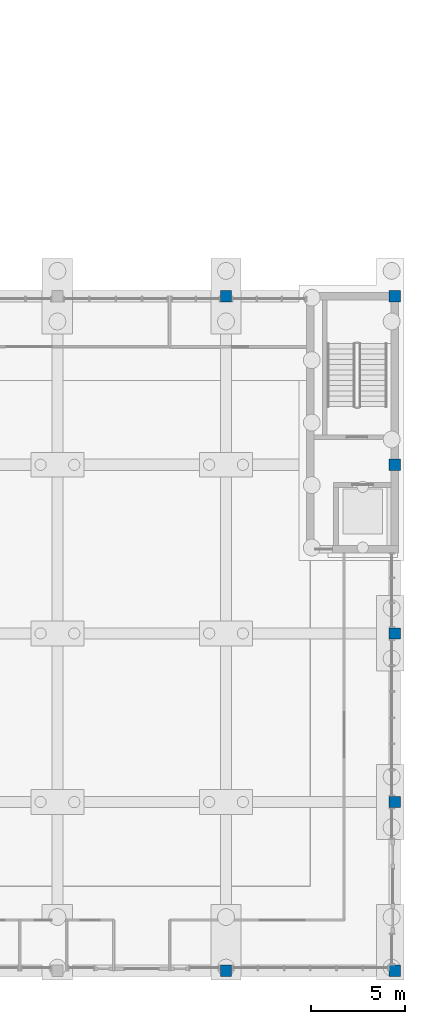
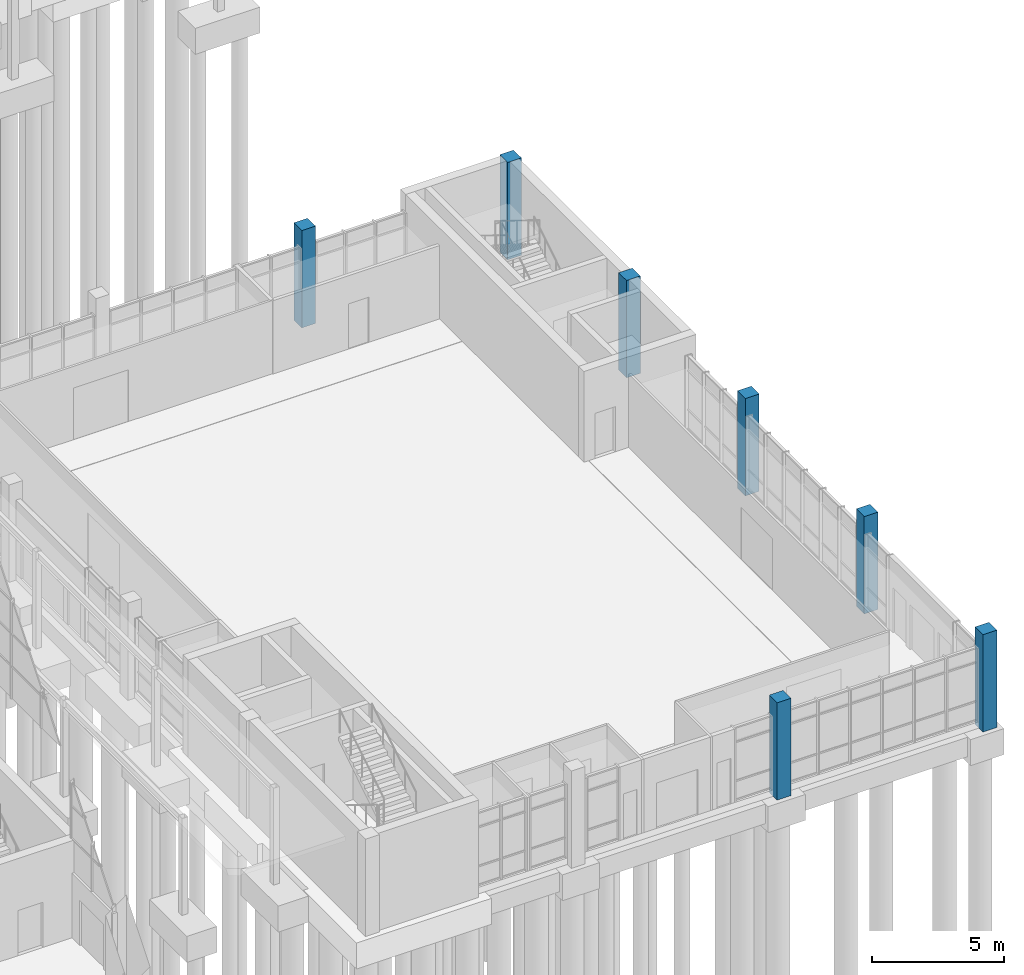
# One storey, part 14 of 106: 7 columns.
"""IFC4 building model written with IfcOpenShell, lengths in metres."""

import ifcopenshell
import ifcopenshell.guid

model = None  # the IFC model being written
_history = None  # IfcOwnerHistory: only IFC2X3 demands one
_inside = {}  # id of a spatial element -> (the spatial element, [elements in it])
_under = {}  # id of a project, library or spatial element -> (it, [spatial elements below it])
_declared = {}  # id of a project -> (the project, [libraries it declares])
_typed = {}  # id of a type object -> (the type object, [elements of that type])
_made_of = {}  # id of a material, layer set ... -> (it, [elements and type objects made of it])


def new_model(schema):
    """Start an empty IFC model of exactly this schema.

    Asked for "IFC4X3", IfcOpenShell would pick the latest addendum, in which some entities
    have other attributes; the version numbers below select the first issue.
    IFC2X3 requires an IfcOwnerHistory on every rooted entity: one is made here for all.
    """
    global model, _history
    if schema == "IFC4X3":
        model = ifcopenshell.file(schema_version=(4, 3, 0, 0))
    else:
        model = ifcopenshell.file(schema=schema)
    _inside.clear()
    _under.clear()
    _declared.clear()
    _typed.clear()
    _made_of.clear()
    _history = None
    if model.schema == "IFC2X3":
        org = make("IfcOrganization", Name="unknown")
        user = make(
            "IfcPersonAndOrganization",
            ThePerson=make("IfcPerson", FamilyName="unknown"),
            TheOrganization=org,
        )
        app = make(
            "IfcApplication",
            ApplicationDeveloper=org,
            Version="unknown",
            ApplicationFullName="unknown",
            ApplicationIdentifier="unknown",
        )
        _history = make(
            "IfcOwnerHistory",
            OwningUser=user,
            OwningApplication=app,
            ChangeAction="ADDED",
            CreationDate=0,
        )
    return model


def make(cls, **values):
    """One entity of the class cls with the attributes given. An attribute that is None is left unset."""
    return model.create_entity(
        cls, **{name: value for name, value in values.items() if value is not None}
    )


def rooted(cls, **values):
    """An entity with a GlobalId (a new one), such as an element, a storey or a relation."""
    return make(cls, GlobalId=ifcopenshell.guid.new(), OwnerHistory=_history, **values)


def si_unit(unit_type, name, prefix=None):
    """IfcSIUnit, for example si_unit("LENGTHUNIT", "METRE", prefix="MILLI")."""
    return make("IfcSIUnit", UnitType=unit_type, Prefix=prefix, Name=name)


def assignment(units):
    """IfcUnitAssignment: the units of a project."""
    return None if units is None else make("IfcUnitAssignment", Units=units)


def point(xyz):
    """IfcCartesianPoint."""
    return None if xyz is None else make("IfcCartesianPoint", Coordinates=xyz)


def direction(xyz):
    """IfcDirection."""
    return None if xyz is None else make("IfcDirection", DirectionRatios=xyz)


def frame(location, z_axis=None, x_axis=None):
    """IfcAxis2Placement3D, a coordinate frame: its origin and axes. An axis left out is left unset."""
    return make(
        "IfcAxis2Placement3D",
        Location=point(location),
        Axis=direction(z_axis),
        RefDirection=direction(x_axis),
    )


def frame_2d(location, x_axis=None):
    """IfcAxis2Placement2D, a coordinate frame in the plane: its origin and x axis."""
    return make(
        "IfcAxis2Placement2D", Location=point(location), RefDirection=direction(x_axis)
    )


def origin():
    """The frame at (0, 0, 0) with its axes left unset."""
    return frame((0.0, 0.0, 0.0))


def origin_2d():
    """The frame at (0, 0) in the plane with its x axis left unset."""
    return frame_2d((0.0, 0.0))


def place(relative_to, where):
    """IfcLocalPlacement: puts the frame where relative to a parent placement (None: the world)."""
    return make(
        "IfcLocalPlacement", PlacementRelTo=relative_to, RelativePlacement=where
    )


def context(
    kind, dimensions, precision=None, world=None, true_north=None, identifier=None
):
    """IfcGeometricRepresentationContext, for example the 3D "Model" context."""
    return make(
        "IfcGeometricRepresentationContext",
        ContextIdentifier=identifier,
        ContextType=kind,
        CoordinateSpaceDimension=dimensions,
        Precision=precision,
        WorldCoordinateSystem=world,
        TrueNorth=true_north,
    )


def subcontext(parent, identifier, kind, view, scale=None):
    """IfcGeometricRepresentationSubContext, for example "Body" below "Model"."""
    return make(
        "IfcGeometricRepresentationSubContext",
        ContextIdentifier=identifier,
        ContextType=kind,
        ParentContext=parent,
        TargetScale=scale,
        TargetView=view,
    )


def project(units=None, contexts=None):
    """IfcProject with its units and contexts."""
    return rooted(
        "IfcProject",
        Name="project",
        RepresentationContexts=contexts,
        UnitsInContext=assignment(units),
    )


def spatial(cls, under=None, at=None, **own):
    """A site, building, storey or space (cls), placed at a placement, below another one or the project."""
    s = rooted(cls, ObjectPlacement=at, **own)
    if under is not None:
        _under.setdefault(under.id(), (under, []))[1].append(s)
    return s


def profile(cls, at=None, kind="AREA", **sizes):
    """A parametric profile (cls). Its sizes go by their IFC names, for example OverallWidth=200.0."""
    return make(cls, ProfileType=kind, Position=at, **sizes)


def rectangle(**sizes):
    """IfcRectangleProfileDef."""
    return profile("IfcRectangleProfileDef", **sizes)


def extrude(swept, where, along, depth):
    """IfcExtrudedAreaSolid: the profile swept, set in the frame where, extruded along a direction by depth."""
    return make(
        "IfcExtrudedAreaSolid",
        SweptArea=swept,
        Position=where,
        ExtrudedDirection=direction(along),
        Depth=depth,
    )


def shape(context_of_items, identifier, shape_type, items):
    """IfcShapeRepresentation: the items that make up one representation, for example the "Body"."""
    return make(
        "IfcShapeRepresentation",
        ContextOfItems=context_of_items,
        RepresentationIdentifier=identifier,
        RepresentationType=shape_type,
        Items=items,
    )


def material(Name=None, Category=None):
    """IfcMaterial."""
    return make("IfcMaterial", Name=Name, Category=Category)


def material_profile(
    of_material, cross_section, Name=None, Category=None, Priority=None
):
    """IfcMaterialProfile: a cross section and its material."""
    return make(
        "IfcMaterialProfile",
        Name=Name,
        Material=of_material,
        Profile=cross_section,
        Priority=Priority,
        Category=Category,
    )


def profile_set(profiles, Name=None, composite=None):
    """IfcMaterialProfileSet."""
    return make(
        "IfcMaterialProfileSet",
        Name=Name,
        MaterialProfiles=profiles,
        CompositeProfile=composite,
    )


def made_of(thing, what):
    """Note that an element or type object is made of a material, layer set ...; save() writes the relation."""
    if what is not None:
        _made_of.setdefault(what.id(), (what, []))[1].append(thing)
    return thing


def type_object(cls, material=None, **own):
    """A type object (cls), such as IfcWallType, which elements share."""
    return made_of(rooted(cls, **own), material)


def element(
    cls,
    number,
    at=None,
    inside=None,
    cuts=None,
    type_object=None,
    material=None,
    context=None,
    identifier="Body",
    shape_type=None,
    held_by="IfcProductDefinitionShape",
    body=None,
    shapes=None,
    **own,
):
    """One element of the class cls, such as IfcWall. Its Tag is "e" and its number.

    at: its placement. inside: the storey or other place that contains it. cuts: it is an
    opening in that element (IfcRelVoidsElement). A single representation is given by context,
    identifier, shape_type and body (its items); several are given by shapes. held_by: the class
    of the entity that holds the representations. save() writes the other relations.
    """
    e = rooted(cls, Tag="e%d" % number, ObjectPlacement=at, **own)
    if body is not None:
        shapes = [shape(context, identifier, shape_type, body)]
    if shapes is not None:
        e.Representation = make(held_by, Representations=shapes)
    if inside is not None:
        _inside.setdefault(inside.id(), (inside, []))[1].append(e)
    if cuts is not None:
        rooted(
            "IfcRelVoidsElement", RelatingBuildingElement=cuts, RelatedOpeningElement=e
        )
    if type_object is not None:
        _typed.setdefault(type_object.id(), (type_object, []))[1].append(e)
    return made_of(e, material)


def aggregate(whole, parts):
    """IfcRelAggregates: a whole, such as a stair, and the parts it consists of."""
    return rooted("IfcRelAggregates", RelatingObject=whole, RelatedObjects=parts)


def save(model, path):
    """Write the relations noted so far, then the file.

    IfcRelAggregates (storeys below a building ...), IfcRelContainedInSpatialStructure (elements
    in a storey), IfcRelDefinesByType, IfcRelAssociatesMaterial and IfcRelDeclares: one each for
    every whole, place, type object, material and project.
    """
    for whole, parts in _under.values():
        aggregate(whole, parts)
    for where, things in _inside.values():
        rooted(
            "IfcRelContainedInSpatialStructure",
            RelatedElements=things,
            RelatingStructure=where,
        )
    for kind, things in _typed.values():
        rooted("IfcRelDefinesByType", RelatedObjects=things, RelatingType=kind)
    for what, things in _made_of.values():
        rooted("IfcRelAssociatesMaterial", RelatedObjects=things, RelatingMaterial=what)
    for by, libraries in _declared.values():
        rooted("IfcRelDeclares", RelatingContext=by, RelatedDefinitions=libraries)
    model.write(path)


model = new_model("IFC4")

# Units and contexts
model_context = context("Model", 3, precision=1e-05, world=origin(), true_north=direction((0.0, 1.0)))
body_context = subcontext(model_context, "Body", "Model", "MODEL_VIEW")
ifc_project = project(units=[si_unit("LENGTHUNIT", "METRE"), si_unit("AREAUNIT", "SQUARE_METRE"), si_unit("VOLUMEUNIT", "CUBIC_METRE"), si_unit("PLANEANGLEUNIT", "RADIAN"), si_unit("MASSUNIT", "GRAM", prefix="KILO")], contexts=[model_context])

# Site, building, storey
site_placement = place(None, origin())
site = spatial("IfcSite", under=ifc_project, at=site_placement, CompositionType="ELEMENT")
building_placement = place(site_placement, origin())
building = spatial("IfcBuilding", under=site, at=building_placement, Name="Merrow Basin Faculty of Sciences", CompositionType="ELEMENT")
storey_placement = place(building_placement, origin())
storey = spatial("IfcBuildingStorey", under=building, at=storey_placement, Name="L00", CompositionType="ELEMENT", Elevation=0.0)

# Columns
ifc_material = material(Name="Concrete C40/50", Category="concrete")
ifc_material_profile = material_profile(ifc_material, rectangle(XDim=0.60009765625, YDim=0.60009765625, at=origin_2d()))
ifc_profile_set = profile_set([ifc_material_profile], Name="Concrete C40/50")
column_type = type_object("IfcColumnType", Name="Column RC600x600 C40/50", PredefinedType="COLUMN", material=ifc_profile_set)
for number, where, z_axis, x_axis, name in (
    (1, (63.0, 0.0, -0.300048828125), (0.0, 0.0, 1.0), (1.0, 0.0, 0.0), "Column H10 L00"),
    (2, (63.0, 36.0, -0.300048828125), (0.0, 0.0, 1.0), (1.0, 0.0, 0.0), "Column H11 L00"),
    (3, (72.0, 0.0, -0.300048828125), (0.0, 0.0, 1.0), (1.0, 0.0, 0.0), "Column J10 L00"),
    (4, (72.0, 9.0, -0.300048828125), (0.0, 0.0, 1.0), (1.0, 0.0, 0.0), "Column J L00"),
    (5, (72.0, 18.0, -0.300048828125), (0.0, 0.0, 1.0), (1.0, 0.0, 0.0), "Column J L00"),
    (6, (72.0, 27.0, -0.300048828125), (0.0, 0.0, 1.0), (1.0, 0.0, 0.0), "Column J L00"),
    (7, (72.0, 36.0, -0.300048828125), (0.0, 0.0, 1.0), (1.0, 0.0, 0.0), "Column J11 L00"),
):
    element("IfcColumn", number, at=place(storey_placement, frame(where, z_axis=z_axis, x_axis=x_axis)), inside=storey, type_object=column_type, Name=name, PredefinedType="COLUMN", context=body_context, shape_type="SweptSolid", body=[
        extrude(rectangle(XDim=0.60009765625, YDim=0.60009765625, at=origin_2d()), origin(), (0.0, 0.0, 1.0), 4.5),
    ])

save(model, "model.ifc")
